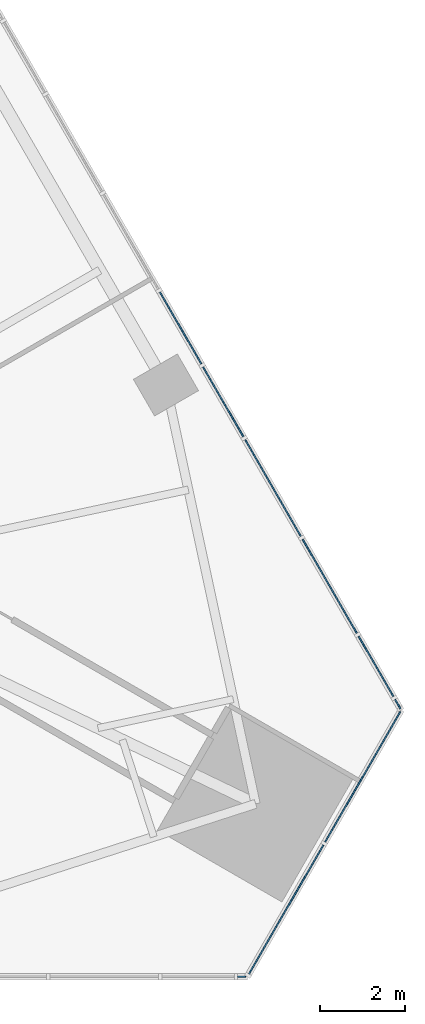
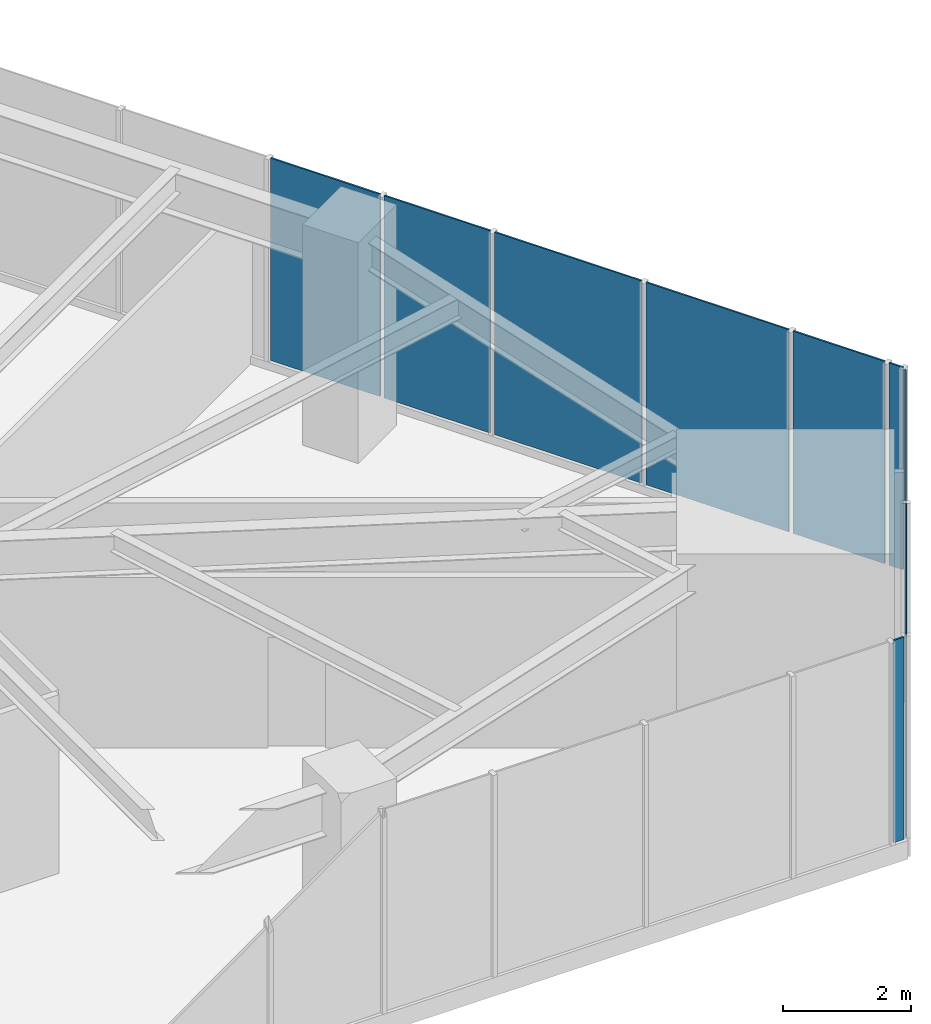
# One storey, part 13 of 21: 9 plates, 3 elements without a shape of their own.
"""IFC4 building model written with IfcOpenShell, lengths in metres."""

from ifc_helpers import new_model, si_unit, direction, frame, origin, place, context, subcontext, project, spatial, polyline, outline, extrude, material, layer, layer_set, type_object, element, aggregate, save


model = new_model("IFC4")

# Units and contexts
model_context = context("Model", 3, precision=1e-05, world=origin(), true_north=direction((0.0, 1.0)))
body_context = subcontext(model_context, "Body", "Model", "MODEL_VIEW")
ifc_project = project(units=[si_unit("LENGTHUNIT", "METRE"), si_unit("AREAUNIT", "SQUARE_METRE"), si_unit("VOLUMEUNIT", "CUBIC_METRE"), si_unit("PLANEANGLEUNIT", "RADIAN"), si_unit("MASSUNIT", "GRAM", prefix="KILO")], contexts=[model_context])

# Site, building, storey
site_placement = place(None, origin())
site = spatial("IfcSite", under=ifc_project, at=site_placement, CompositionType="ELEMENT")
building_placement = place(site_placement, origin())
building = spatial("IfcBuilding", under=site, at=building_placement, Name="Firuza Gate Tower and Library", CompositionType="ELEMENT")
storey_placement = place(building_placement, frame((0.0, 0.0, 98.800048828125)))
storey = spatial("IfcBuildingStorey", under=building, at=storey_placement, Name="L22", CompositionType="ELEMENT", Elevation=98.800048828125)

# Curtain wall, plates
ifc_material_1 = material(Name="Aluminium 6063-T6", Category="aluminium")
ifc_layer_1 = layer(ifc_material_1, 0.14990234375)
ifc_layer_set_1 = layer_set([ifc_layer_1], Name="Corner curtain wall, chamfers")
curtain_wall_type_1 = type_object("IfcCurtainWallType", Name="Corner curtain wall, chamfers", PredefinedType="NOTDEFINED", material=ifc_layer_set_1)
placement = place(storey_placement, origin())
curtain_wall_1 = element("IfcCurtainWall", 1, at=placement, inside=storey, type_object=curtain_wall_type_1, Name="CW4 L22 SE corner", PredefinedType="NOTDEFINED")
ifc_material_2 = material(Name="Fritted glass", Category="glass")
ifc_layer_2 = layer(ifc_material_2, 0.030029296875)
ifc_layer_set_2 = layer_set([ifc_layer_2], Name="Fritted glass unit, corners")
plate_type_1 = type_object("IfcPlateType", Name="Fritted glass unit, corners", PredefinedType="CURTAIN_PANEL", material=ifc_layer_set_2)
plate_1_placement = place(storey_placement, frame((103.286376953125, 54.508056640625, 0.14990234375), z_axis=(0.866016723041, -0.500015035186, 0.0), x_axis=(0.500015035186, 0.866016723041, 0.0)))
plate_1 = element("IfcPlate", 2, at=plate_1_placement, type_object=plate_type_1, Name="Glass unit", PredefinedType="CURTAIN_PANEL", context=body_context, shape_type="SweptSolid", body=[
    extrude(outline(polyline([(0.0, 0.0), (3.5633694106530625, 0.0), (3.5633694106530625, 3.85009765625), (0.0, 3.85009765625), (0.0, 0.0)])), origin(), (0.0, 0.0, -1.0), 0.030029296875),
])
plate_2_placement = place(storey_placement, frame((105.108154296875, 57.663330078125, 0.14990234375), z_axis=(0.866046390552, -0.49996364809, 0.0), x_axis=(0.49996364809, 0.866046390552, 0.0)))
plate_2 = element("IfcPlate", 3, at=plate_2_placement, type_object=plate_type_1, Name="Glass unit", PredefinedType="CURTAIN_PANEL", context=body_context, shape_type="SweptSolid", body=[
    extrude(outline(polyline([(0.0, 0.0), (3.563247342942594, 0.0), (3.563247342942594, 3.85009765625), (0.0, 3.85009765625), (0.0, 0.0)])), origin(), (0.0, 0.0, -1.0), 0.030029296875),
])
aggregate(curtain_wall_1, [plate_1, plate_2])

ifc_material_3 = material(Name="Aluminium 6063-T6", Category="aluminium")
ifc_layer_3 = layer(ifc_material_3, 0.14990234375)
ifc_layer_set_3 = layer_set([ifc_layer_3], Name="Unitised curtain wall, offices")
curtain_wall_type_2 = type_object("IfcCurtainWallType", Name="Unitised curtain wall, offices", PredefinedType="NOTDEFINED", material=ifc_layer_set_3)
curtain_wall_2 = element("IfcCurtainWall", 4, at=placement, inside=storey, type_object=curtain_wall_type_2, Name="CW1 L22 E face", PredefinedType="NOTDEFINED")
ifc_material_4 = material(Name="Fritted glass", Category="glass")
ifc_layer_4 = layer(ifc_material_4, 0.030029296875)
ifc_layer_set_4 = layer_set([ifc_layer_4], Name="Fritted glass unit, offices")
plate_type_2 = type_object("IfcPlateType", Name="Fritted glass unit, offices", PredefinedType="CURTAIN_PANEL", material=ifc_layer_set_4)
plate_3_placement = place(storey_placement, frame((106.72412109375, 61.120361328125, 0.14990234375), z_axis=(0.865983361098, 0.500072813, 0.0), x_axis=(-0.500072813, 0.865983361098, 0.0)))
plate_3 = element("IfcPlate", 5, at=plate_3_placement, type_object=plate_type_2, Name="Glass unit", PredefinedType="CURTAIN_PANEL", context=body_context, shape_type="SweptSolid", body=[
    extrude(outline(polyline([(0.0, 0.0), (1.6486856897463418, 0.0), (1.6486856897463418, 3.85009765625), (0.0, 3.85009765625), (0.0, 0.0)])), origin(), (0.0, 0.0, -1.0), 0.030029296875),
])
plate_4_placement = place(storey_placement, frame((103.1748046875, 67.26806640625, 0.14990234375), z_axis=(0.865966066279, 0.500102761493, 0.0), x_axis=(-0.500102761493, 0.865966066279, 0.0)))
plate_4 = element("IfcPlate", 6, at=plate_4_placement, type_object=plate_type_2, Name="Glass unit", PredefinedType="CURTAIN_PANEL", context=body_context, shape_type="SweptSolid", body=[
    extrude(outline(polyline([(0.0, 0.0), (1.9078110259829113, 0.0), (1.9078110259829113, 3.85009765625), (0.0, 3.85009765625), (0.0, 0.0)])), origin(), (0.0, 0.0, -1.0), 0.030029296875),
])
plate_5_placement = place(storey_placement, frame((102.180908203125, 68.989501953125, 0.14990234375), z_axis=(0.865987003449, 0.500066505434, 0.0), x_axis=(-0.500066505434, 0.865987003449, 0.0)))
plate_5 = element("IfcPlate", 7, at=plate_5_placement, type_object=plate_type_2, Name="Glass unit", PredefinedType="CURTAIN_PANEL", context=body_context, shape_type="SweptSolid", body=[
    extrude(outline(polyline([(0.0, 0.0), (1.9655588718079882, 0.0), (1.9655588718079882, 3.85009765625), (0.0, 3.85009765625), (0.0, 0.0)])), origin(), (0.0, 0.0, -1.0), 0.030029296875),
])

# Curtain wall, plate
curtain_wall_3 = element("IfcCurtainWall", 8, at=placement, inside=storey, type_object=curtain_wall_type_2, Name="CW1 L22 S face", PredefinedType="NOTDEFINED")
ifc_material_5 = material(Name="Glazed ceramic tile")
ifc_layer_5 = layer(ifc_material_5, 0.030029296875)
ifc_layer_set_5 = layer_set([ifc_layer_5], Name="Opaque ceramic panel, offices")
plate_type_3 = type_object("IfcPlateType", Name="Opaque ceramic panel, offices", PredefinedType="CURTAIN_PANEL", material=ifc_layer_set_5)
plate_6_placement = place(storey_placement, frame((103.02734375, 54.466064453125, 0.14990234375), z_axis=(0.0, -1.0, 0.0), x_axis=(1.0, 0.0, 0.0)))
plate_6 = element("IfcPlate", 9, at=plate_6_placement, type_object=plate_type_3, Name="Opaque ceramic panel", PredefinedType="CURTAIN_PANEL", context=body_context, shape_type="SweptSolid", body=[
    extrude(outline(polyline([(0.0, 0.0), (0.18603515625, 0.0), (0.18603515625, 3.85009765625), (0.0, 3.85009765625), (0.0, 0.0)])), origin(), (0.0, 0.0, -1.0), 0.030029296875),
])
aggregate(curtain_wall_3, [plate_6])

# Plate
plate_7_placement = place(storey_placement, frame((106.8896484375, 60.83349609375, 0.14990234375), z_axis=(0.866201770413, 0.499694399542, 0.0), x_axis=(-0.499694399542, 0.866201770413, 0.0)))
plate_7 = element("IfcPlate", 10, at=plate_7_placement, type_object=plate_type_3, Name="Opaque ceramic panel", PredefinedType="CURTAIN_PANEL", context=body_context, shape_type="SweptSolid", body=[
    extrude(outline(polyline([(0.0, 0.0), (0.25113005341856437, 0.0), (0.25113005341856437, 3.85009765625), (0.0, 3.85009765625), (0.0, 0.0)])), origin(), (0.0, 0.0, -1.0), 0.030029296875),
])

plate_8_placement = place(storey_placement, frame((105.859619140625, 62.617431640625, 0.14990234375), z_axis=(0.866041575714, 0.49997198835, 0.0), x_axis=(-0.49997198835, 0.866041575714, 0.0)))
plate_8 = element("IfcPlate", 11, at=plate_8_placement, type_object=plate_type_3, Name="Opaque ceramic panel", PredefinedType="CURTAIN_PANEL", context=body_context, shape_type="SweptSolid", body=[
    extrude(outline(polyline([(0.0, 0.0), (2.568991579636687, 0.0), (2.568991579636687, 3.85009765625), (0.0, 3.85009765625), (0.0, 0.0)])), origin(), (0.0, 0.0, -1.0), 0.030029296875),
])

plate_9_placement = place(storey_placement, frame((104.53515625, 64.91162109375, 0.14990234375), z_axis=(0.866010085082, 0.500026531833, 0.0), x_axis=(-0.500026531833, 0.866010085082, 0.0)))
plate_9 = element("IfcPlate", 12, at=plate_9_placement, type_object=plate_type_3, Name="Opaque ceramic panel", PredefinedType="CURTAIN_PANEL", context=body_context, shape_type="SweptSolid", body=[
    extrude(outline(polyline([(0.0, 0.0), (2.64097314153546, 0.0), (2.64097314153546, 3.85009765625), (0.0, 3.85009765625), (0.0, 0.0)])), origin(), (0.0, 0.0, -1.0), 0.030029296875),
])

aggregate(curtain_wall_2, [plate_7, plate_3, plate_8, plate_9, plate_4, plate_5])

save(model, "model.ifc")
